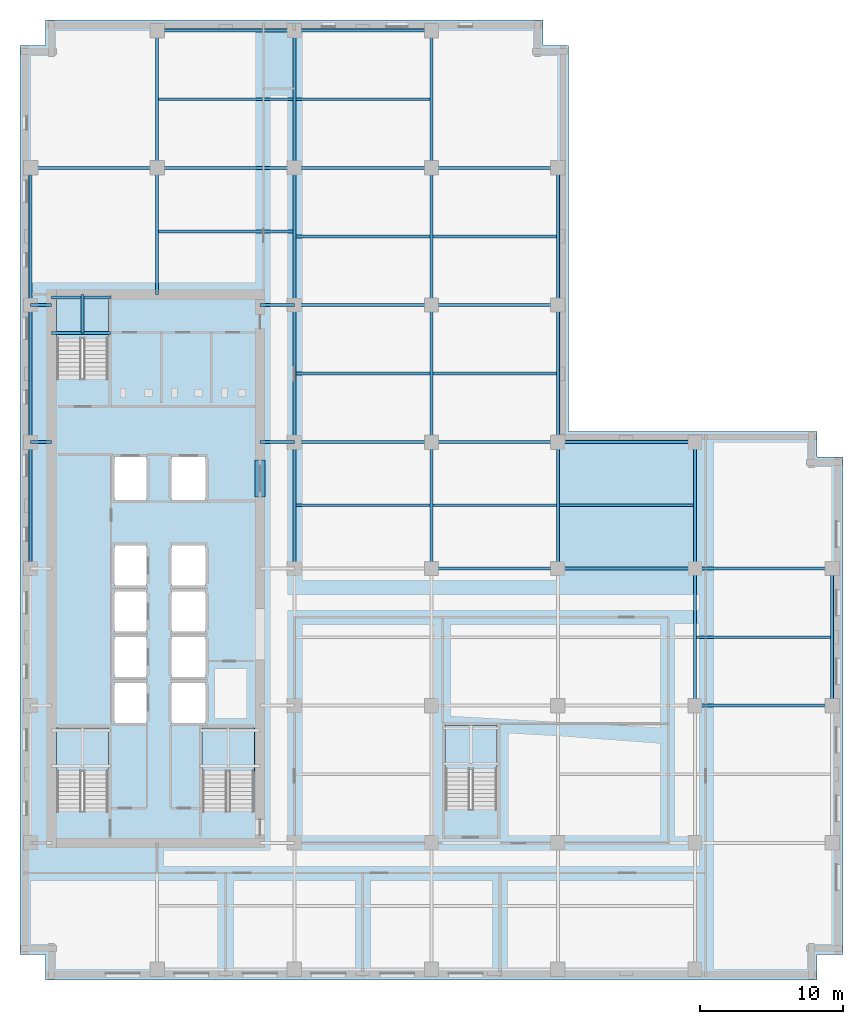
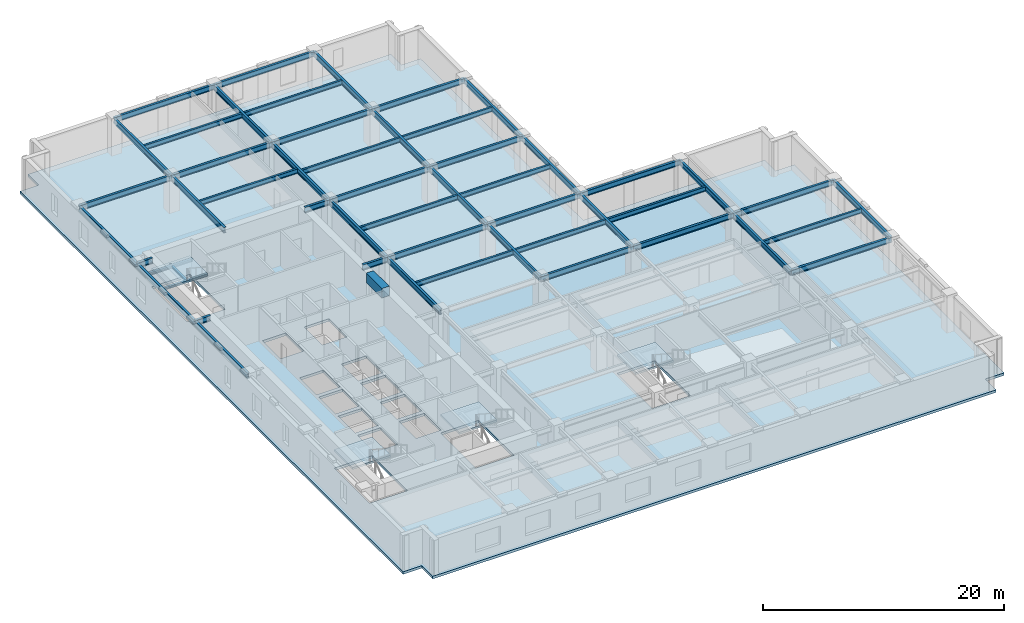
# One storey, part 2 of 11: 53 beams, 5 slabs, 4 elements without a shape of their own.
"""IFC4 building model written with IfcOpenShell, lengths in metres."""

from ifc_helpers import new_model, si_unit, direction, frame, origin, origin_2d, place, context, subcontext, project, spatial, polyline, rectangle, i_section, outline, extrude, material, layer, layer_set, material_profile, profile_set, type_object, element, aggregate, save


model = new_model("IFC4")

# Units and contexts
model_context = context("Model", 3, precision=1e-05, world=origin(), true_north=direction((0.0, 1.0)))
body_context = subcontext(model_context, "Body", "Model", "MODEL_VIEW")
ifc_project = project(units=[si_unit("LENGTHUNIT", "METRE"), si_unit("AREAUNIT", "SQUARE_METRE"), si_unit("VOLUMEUNIT", "CUBIC_METRE"), si_unit("PLANEANGLEUNIT", "RADIAN"), si_unit("MASSUNIT", "GRAM", prefix="KILO")], contexts=[model_context])

# Site, building, storey
site_placement = place(None, origin())
site = spatial("IfcSite", under=ifc_project, at=site_placement, CompositionType="ELEMENT")
building_placement = place(site_placement, origin())
building = spatial("IfcBuilding", under=site, at=building_placement, Name="Norrvale University Quadrangle", CompositionType="ELEMENT")
storey_placement = place(building_placement, frame((0.0, 0.0, 124.199951171875)))
storey = spatial("IfcBuildingStorey", under=building, at=storey_placement, Name="L31", CompositionType="ELEMENT", Elevation=124.199951171875)

# Beams
ifc_material_1 = material(Name="Concrete C80/95", Category="concrete")
ifc_material_profile_1 = material_profile(ifc_material_1, rectangle(XDim=0.699951171875, YDim=0.949951171875, at=origin_2d()), Name="Concrete C80/95")
ifc_profile_set_1 = profile_set([ifc_material_profile_1], Name="Concrete C80/95")
beam_type_1 = type_object("IfcBeamType", Name="Beam Core Link 700x950", PredefinedType="LINTEL", material=ifc_profile_set_1)
beam_1_placement = place(storey_placement, frame((16.800048828125, 33.800048828125, 3.06494140625), z_axis=(0.0, 1.0, 0.0), x_axis=(-1.0, 0.0, 0.0)))
element("IfcBeam", 1, at=beam_1_placement, inside=storey, type_object=beam_type_1, Name="Core Coupling Lintel Beam L31-2", PredefinedType="LINTEL", context=body_context, shape_type="SweptSolid", body=[
    extrude(rectangle(XDim=0.699951171875, YDim=0.949951171875, at=origin_2d()), origin(), (0.0, 0.0, 1.0), 2.599853515625),
])
ifc_material_2 = material(Name="Steel 350W", Category="steel")
ifc_material_profile_2 = material_profile(ifc_material_2, i_section(OverallWidth=0.18994140625, OverallDepth=0.45703125, WebThickness=0.009033203125, FlangeThickness=0.014404296875, FilletRadius=0.012939453125, at=origin_2d()), Name="Steel 350W")
ifc_profile_set_2 = profile_set([ifc_material_profile_2], Name="Steel 350W")
beam_type_2 = type_object("IfcBeamType", Name="Beam Floor W460x74", PredefinedType="JOIST", material=ifc_profile_set_2)
beam_2_placement = place(storey_placement, frame((9.7060546875, 61.64990234375, 3.3115234375), z_axis=(1.0, 0.0, 0.0), x_axis=(0.0, 1.0, 0.0)))
element("IfcBeam", 2, at=beam_2_placement, inside=storey, type_object=beam_type_2, Name="Beam Floor W460x74 BM-L31-J070", PredefinedType="JOIST", context=body_context, shape_type="SweptSolid", body=[
    extrude(i_section(OverallWidth=0.18994140625, OverallDepth=0.45703125, WebThickness=0.009033203125, FlangeThickness=0.014404296875, FilletRadius=0.012939453125, at=origin_2d()), origin(), (0.0, 0.0, 1.0), 9.387939453125),
])
for number, where, z_axis, x_axis, name in (
    (3, (19.305908203125, 33.22509765625, 3.3115234375), (1.0, 0.0, 0.0), (0.0, 1.0, 0.0), "Beam Floor W460x74 BM-L31-J074"),
    (4, (19.305908203125, 42.449951171875, 3.3115234375), (1.0, 0.0, 0.0), (0.0, 1.0, 0.0), "Beam Floor W460x74 BM-L31-J075"),
    (5, (19.305908203125, 52.050048828125, 3.3115234375), (1.0, 0.0, 0.0), (0.0, 1.0, 0.0), "Beam Floor W460x74 BM-L31-J076"),
    (6, (19.305908203125, 61.64990234375, 3.3115234375), (1.0, 0.0, 0.0), (0.0, 1.0, 0.0), "Beam Floor W460x74 BM-L31-J077"),
):
    element("IfcBeam", number, at=place(storey_placement, frame(where, z_axis=z_axis, x_axis=x_axis)), inside=storey, type_object=beam_type_2, Name=name, PredefinedType="JOIST", context=body_context, shape_type="SweptSolid", body=[
        extrude(i_section(OverallWidth=0.18994140625, OverallDepth=0.45703125, WebThickness=0.009033203125, FlangeThickness=0.014404296875, FilletRadius=0.012939453125, at=origin_2d()), origin(), (0.0, 0.0, 1.0), 9.38818359375),
    ])
for number, where, z_axis, x_axis, name in (
    (7, (28.906005859375, 33.22509765625, 3.3115234375), (1.0, 0.0, 0.0), (0.0, 1.0, 0.0), "Beam Floor W460x74 BM-L31-J080"),
    (8, (28.906005859375, 42.449951171875, 3.3115234375), (1.0, 0.0, 0.0), (0.0, 1.0, 0.0), "Beam Floor W460x74 BM-L31-J081"),
    (9, (28.906005859375, 52.050048828125, 3.3115234375), (1.0, 0.0, 0.0), (0.0, 1.0, 0.0), "Beam Floor W460x74 BM-L31-J082"),
):
    element("IfcBeam", number, at=place(storey_placement, frame(where, z_axis=z_axis, x_axis=x_axis)), inside=storey, type_object=beam_type_2, Name=name, PredefinedType="JOIST", context=body_context, shape_type="SweptSolid", body=[
        extrude(i_section(OverallWidth=0.18994140625, OverallDepth=0.45703125, WebThickness=0.009033203125, FlangeThickness=0.014404296875, FilletRadius=0.012939453125, at=origin_2d()), origin(), (0.0, 0.0, 1.0), 8.637939453125),
    ])
for number, where, z_axis, x_axis, name in (
    (10, (37.756103515625, 33.22509765625, 3.3115234375), (1.0, 0.0, 0.0), (0.0, 1.0, 0.0), "Beam Floor W460x74 BM-L31-J086"),
    (11, (47.35595703125, 24.0, 3.3115234375), (1.0, 0.0, 0.0), (0.0, 1.0, 0.0), "Beam Floor W460x74 BM-L31-J088"),
    (12, (9.7060546875, 52.39990234375, 3.3115234375), (1.0, 0.0, 0.0), (0.0, 1.0, 0.0), "Beam Floor W460x74 BM-L31-JCN092"),
):
    element("IfcBeam", number, at=place(storey_placement, frame(where, z_axis=z_axis, x_axis=x_axis)), inside=storey, type_object=beam_type_2, Name=name, PredefinedType="JOIST", context=body_context, shape_type="SweptSolid", body=[
        extrude(i_section(OverallWidth=0.18994140625, OverallDepth=0.45703125, WebThickness=0.009033203125, FlangeThickness=0.014404296875, FilletRadius=0.012939453125, at=origin_2d()), origin(), (0.0, 0.0, 1.0), 9.387939453125),
    ])
ifc_material_profile_3 = material_profile(ifc_material_2, i_section(OverallWidth=0.2119140625, OverallDepth=0.5439453125, WebThickness=0.01318359375, FlangeThickness=0.021240234375, FilletRadius=0.013916015625, at=origin_2d()), Name="Steel 350W")
ifc_profile_set_3 = profile_set([ifc_material_profile_3], Name="Steel 350W")
beam_type_3 = type_object("IfcBeamType", Name="Beam Floor W530x123", PredefinedType="BEAM", material=ifc_profile_set_3)
beam_3_placement = place(storey_placement, frame((47.25, 19.199951171875, 3.26806640625), z_axis=(1.0, 0.0, 0.0), x_axis=(0.0, 1.0, 0.0)))
element("IfcBeam", 13, at=beam_3_placement, inside=storey, type_object=beam_type_3, Name="Beam Floor W530x123 BM-L31-GX012", PredefinedType="BEAM", context=body_context, shape_type="SweptSolid", body=[
    extrude(i_section(OverallWidth=0.2119140625, OverallDepth=0.5439453125, WebThickness=0.01318359375, FlangeThickness=0.021240234375, FilletRadius=0.013916015625, at=origin_2d()), origin(), (0.0, 0.0, 1.0), 9.60009765625),
])
beam_4_placement = place(storey_placement, frame((28.800048828125, 28.800048828125, 3.26806640625), z_axis=(1.0, 0.0, 0.0), x_axis=(0.0, 1.0, 0.0)))
element("IfcBeam", 14, at=beam_4_placement, inside=storey, type_object=beam_type_3, Name="Beam Floor W530x123 BM-L31-GX014", PredefinedType="BEAM", context=body_context, shape_type="SweptSolid", body=[
    extrude(i_section(OverallWidth=0.2119140625, OverallDepth=0.5439453125, WebThickness=0.01318359375, FlangeThickness=0.021240234375, FilletRadius=0.013916015625, at=origin_2d()), origin(), (0.0, 0.0, 1.0), 8.849853515625),
])
for number, where, z_axis, x_axis, name in (
    (15, (37.64990234375, 28.800048828125, 3.26806640625), (1.0, 0.0, 0.0), (0.0, 1.0, 0.0), "Beam Floor W530x123 BM-L31-GX015"),
    (16, (47.25, 28.800048828125, 3.26806640625), (1.0, 0.0, 0.0), (0.0, 1.0, 0.0), "Beam Floor W530x123 BM-L31-GX016"),
    (17, (19.199951171875, 37.64990234375, 3.26806640625), (1.0, 0.0, 0.0), (0.0, 1.0, 0.0), "Beam Floor W530x123 BM-L31-GX017"),
):
    element("IfcBeam", number, at=place(storey_placement, frame(where, z_axis=z_axis, x_axis=x_axis)), inside=storey, type_object=beam_type_3, Name=name, PredefinedType="BEAM", context=body_context, shape_type="SweptSolid", body=[
        extrude(i_section(OverallWidth=0.2119140625, OverallDepth=0.5439453125, WebThickness=0.01318359375, FlangeThickness=0.021240234375, FilletRadius=0.013916015625, at=origin_2d()), origin(), (0.0, 0.0, 1.0), 9.60009765625),
    ])
beam_5_placement = place(storey_placement, frame((28.800048828125, 37.64990234375, 3.26806640625), z_axis=(1.0, 0.0, 0.0), x_axis=(0.0, 1.0, 0.0)))
element("IfcBeam", 18, at=beam_5_placement, inside=storey, type_object=beam_type_3, Name="Beam Floor W530x123 BM-L31-GX018", PredefinedType="BEAM", context=body_context, shape_type="SweptSolid", body=[
    extrude(i_section(OverallWidth=0.2119140625, OverallDepth=0.5439453125, WebThickness=0.01318359375, FlangeThickness=0.021240234375, FilletRadius=0.013916015625, at=origin_2d()), origin(), (0.0, 0.0, 1.0), 8.849853515625),
])
for number, where, z_axis, x_axis, name in (
    (19, (37.64990234375, 37.64990234375, 3.26806640625), (1.0, 0.0, 0.0), (0.0, 1.0, 0.0), "Beam Floor W530x123 BM-L31-GX019"),
    (20, (19.199951171875, 47.25, 3.26806640625), (1.0, 0.0, 0.0), (0.0, 1.0, 0.0), "Beam Floor W530x123 BM-L31-GX020"),
):
    element("IfcBeam", number, at=place(storey_placement, frame(where, z_axis=z_axis, x_axis=x_axis)), inside=storey, type_object=beam_type_3, Name=name, PredefinedType="BEAM", context=body_context, shape_type="SweptSolid", body=[
        extrude(i_section(OverallWidth=0.2119140625, OverallDepth=0.5439453125, WebThickness=0.01318359375, FlangeThickness=0.021240234375, FilletRadius=0.013916015625, at=origin_2d()), origin(), (0.0, 0.0, 1.0), 9.60009765625),
    ])
beam_6_placement = place(storey_placement, frame((28.800048828125, 47.25, 3.26806640625), z_axis=(1.0, 0.0, 0.0), x_axis=(0.0, 1.0, 0.0)))
element("IfcBeam", 21, at=beam_6_placement, inside=storey, type_object=beam_type_3, Name="Beam Floor W530x123 BM-L31-GX021", PredefinedType="BEAM", context=body_context, shape_type="SweptSolid", body=[
    extrude(i_section(OverallWidth=0.2119140625, OverallDepth=0.5439453125, WebThickness=0.01318359375, FlangeThickness=0.021240234375, FilletRadius=0.013916015625, at=origin_2d()), origin(), (0.0, 0.0, 1.0), 8.849853515625),
])
beam_7_placement = place(storey_placement, frame((0.75, 56.85009765625, 3.26806640625), z_axis=(1.0, 0.0, 0.0), x_axis=(0.0, 1.0, 0.0)))
element("IfcBeam", 22, at=beam_7_placement, inside=storey, type_object=beam_type_3, Name="Beam Floor W530x123 BM-L31-GX022", PredefinedType="BEAM", context=body_context, shape_type="SweptSolid", body=[
    extrude(i_section(OverallWidth=0.2119140625, OverallDepth=0.5439453125, WebThickness=0.01318359375, FlangeThickness=0.021240234375, FilletRadius=0.013916015625, at=origin_2d()), origin(), (0.0, 0.0, 1.0), 8.85009765625),
])
beam_8_placement = place(storey_placement, frame((9.60009765625, 56.85009765625, 3.26806640625), z_axis=(1.0, 0.0, 0.0), x_axis=(0.0, 1.0, 0.0)))
element("IfcBeam", 23, at=beam_8_placement, inside=storey, type_object=beam_type_3, Name="Beam Floor W530x123 BM-L31-GX023", PredefinedType="BEAM", context=body_context, shape_type="SweptSolid", body=[
    extrude(i_section(OverallWidth=0.2119140625, OverallDepth=0.5439453125, WebThickness=0.01318359375, FlangeThickness=0.021240234375, FilletRadius=0.013916015625, at=origin_2d()), origin(), (0.0, 0.0, 1.0), 9.599853515625),
])
beam_9_placement = place(storey_placement, frame((19.199951171875, 56.85009765625, 3.26806640625), z_axis=(1.0, 0.0, 0.0), x_axis=(0.0, 1.0, 0.0)))
element("IfcBeam", 24, at=beam_9_placement, inside=storey, type_object=beam_type_3, Name="Beam Floor W530x123 BM-L31-GX024", PredefinedType="BEAM", context=body_context, shape_type="SweptSolid", body=[
    extrude(i_section(OverallWidth=0.2119140625, OverallDepth=0.5439453125, WebThickness=0.01318359375, FlangeThickness=0.021240234375, FilletRadius=0.013916015625, at=origin_2d()), origin(), (0.0, 0.0, 1.0), 9.60009765625),
])
beam_10_placement = place(storey_placement, frame((28.800048828125, 56.85009765625, 3.26806640625), z_axis=(1.0, 0.0, 0.0), x_axis=(0.0, 1.0, 0.0)))
element("IfcBeam", 25, at=beam_10_placement, inside=storey, type_object=beam_type_3, Name="Beam Floor W530x123 BM-L31-GX025", PredefinedType="BEAM", context=body_context, shape_type="SweptSolid", body=[
    extrude(i_section(OverallWidth=0.2119140625, OverallDepth=0.5439453125, WebThickness=0.01318359375, FlangeThickness=0.021240234375, FilletRadius=0.013916015625, at=origin_2d()), origin(), (0.0, 0.0, 1.0), 8.849853515625),
])
beam_11_placement = place(storey_placement, frame((9.60009765625, 66.449951171875, 3.26806640625), z_axis=(1.0, 0.0, 0.0), x_axis=(0.0, 1.0, 0.0)))
element("IfcBeam", 26, at=beam_11_placement, inside=storey, type_object=beam_type_3, Name="Beam Floor W530x123 BM-L31-GX026", PredefinedType="BEAM", context=body_context, shape_type="SweptSolid", body=[
    extrude(i_section(OverallWidth=0.2119140625, OverallDepth=0.5439453125, WebThickness=0.01318359375, FlangeThickness=0.021240234375, FilletRadius=0.013916015625, at=origin_2d()), origin(), (0.0, 0.0, 1.0), 9.599853515625),
])
beam_12_placement = place(storey_placement, frame((19.199951171875, 66.449951171875, 3.26806640625), z_axis=(1.0, 0.0, 0.0), x_axis=(0.0, 1.0, 0.0)))
element("IfcBeam", 27, at=beam_12_placement, inside=storey, type_object=beam_type_3, Name="Beam Floor W530x123 BM-L31-GX027", PredefinedType="BEAM", context=body_context, shape_type="SweptSolid", body=[
    extrude(i_section(OverallWidth=0.2119140625, OverallDepth=0.5439453125, WebThickness=0.01318359375, FlangeThickness=0.021240234375, FilletRadius=0.013916015625, at=origin_2d()), origin(), (0.0, 0.0, 1.0), 9.60009765625),
])
beam_13_placement = place(storey_placement, frame((0.75, 28.800048828125, 3.26806640625), z_axis=(0.0, 1.0, 0.0), x_axis=(-1.0, 0.0, 0.0)))
element("IfcBeam", 28, at=beam_13_placement, inside=storey, type_object=beam_type_3, Name="Beam Floor W530x123 BM-L31-GY030", PredefinedType="BEAM", context=body_context, shape_type="SweptSolid", body=[
    extrude(i_section(OverallWidth=0.2119140625, OverallDepth=0.5439453125, WebThickness=0.01318359375, FlangeThickness=0.021240234375, FilletRadius=0.013916015625, at=origin_2d()), origin(), (0.0, 0.0, 1.0), 8.849853515625),
])
for number, where, z_axis, x_axis, name in (
    (29, (0.75, 37.64990234375, 3.26806640625), (0.0, 1.0, 0.0), (-1.0, 0.0, 0.0), "Beam Floor W530x123 BM-L31-GY031"),
    (30, (0.75, 47.25, 3.26806640625), (0.0, 1.0, 0.0), (-1.0, 0.0, 0.0), "Beam Floor W530x123 BM-L31-GY032"),
):
    element("IfcBeam", number, at=place(storey_placement, frame(where, z_axis=z_axis, x_axis=x_axis)), inside=storey, type_object=beam_type_3, Name=name, PredefinedType="BEAM", context=body_context, shape_type="SweptSolid", body=[
        extrude(i_section(OverallWidth=0.2119140625, OverallDepth=0.5439453125, WebThickness=0.01318359375, FlangeThickness=0.021240234375, FilletRadius=0.013916015625, at=origin_2d()), origin(), (0.0, 0.0, 1.0), 9.60009765625),
    ])
beam_14_placement = place(storey_placement, frame((9.60009765625, 56.85009765625, 3.26806640625), z_axis=(0.0, 1.0, 0.0), x_axis=(-1.0, 0.0, 0.0)))
element("IfcBeam", 31, at=beam_14_placement, inside=storey, type_object=beam_type_3, Name="Beam Floor W530x123 BM-L31-GY033", PredefinedType="BEAM", context=body_context, shape_type="SweptSolid", body=[
    extrude(i_section(OverallWidth=0.2119140625, OverallDepth=0.5439453125, WebThickness=0.01318359375, FlangeThickness=0.021240234375, FilletRadius=0.013916015625, at=origin_2d()), origin(), (0.0, 0.0, 1.0), 9.599853515625),
])
beam_15_placement = place(storey_placement, frame((19.199951171875, 28.800048828125, 3.26806640625), z_axis=(0.0, 1.0, 0.0), x_axis=(-1.0, 0.0, 0.0)))
element("IfcBeam", 32, at=beam_15_placement, inside=storey, type_object=beam_type_3, Name="Beam Floor W530x123 BM-L31-GY037", PredefinedType="BEAM", context=body_context, shape_type="SweptSolid", body=[
    extrude(i_section(OverallWidth=0.2119140625, OverallDepth=0.5439453125, WebThickness=0.01318359375, FlangeThickness=0.021240234375, FilletRadius=0.013916015625, at=origin_2d()), origin(), (0.0, 0.0, 1.0), 8.849853515625),
])
for number, where, z_axis, x_axis, name in (
    (33, (19.199951171875, 37.64990234375, 3.26806640625), (0.0, 1.0, 0.0), (-1.0, 0.0, 0.0), "Beam Floor W530x123 BM-L31-GY038"),
    (34, (19.199951171875, 47.25, 3.26806640625), (0.0, 1.0, 0.0), (-1.0, 0.0, 0.0), "Beam Floor W530x123 BM-L31-GY039"),
):
    element("IfcBeam", number, at=place(storey_placement, frame(where, z_axis=z_axis, x_axis=x_axis)), inside=storey, type_object=beam_type_3, Name=name, PredefinedType="BEAM", context=body_context, shape_type="SweptSolid", body=[
        extrude(i_section(OverallWidth=0.2119140625, OverallDepth=0.5439453125, WebThickness=0.01318359375, FlangeThickness=0.021240234375, FilletRadius=0.013916015625, at=origin_2d()), origin(), (0.0, 0.0, 1.0), 9.60009765625),
    ])
beam_16_placement = place(storey_placement, frame((19.199951171875, 56.85009765625, 3.26806640625), z_axis=(0.0, 1.0, 0.0), x_axis=(-1.0, 0.0, 0.0)))
element("IfcBeam", 35, at=beam_16_placement, inside=storey, type_object=beam_type_3, Name="Beam Floor W530x123 BM-L31-GY040", PredefinedType="BEAM", context=body_context, shape_type="SweptSolid", body=[
    extrude(i_section(OverallWidth=0.2119140625, OverallDepth=0.5439453125, WebThickness=0.01318359375, FlangeThickness=0.021240234375, FilletRadius=0.013916015625, at=origin_2d()), origin(), (0.0, 0.0, 1.0), 9.599853515625),
])
beam_17_placement = place(storey_placement, frame((28.800048828125, 28.800048828125, 3.26806640625), z_axis=(0.0, 1.0, 0.0), x_axis=(-1.0, 0.0, 0.0)))
element("IfcBeam", 36, at=beam_17_placement, inside=storey, type_object=beam_type_3, Name="Beam Floor W530x123 BM-L31-GY044", PredefinedType="BEAM", context=body_context, shape_type="SweptSolid", body=[
    extrude(i_section(OverallWidth=0.2119140625, OverallDepth=0.5439453125, WebThickness=0.01318359375, FlangeThickness=0.021240234375, FilletRadius=0.013916015625, at=origin_2d()), origin(), (0.0, 0.0, 1.0), 8.849853515625),
])
for number, where, z_axis, x_axis, name in (
    (37, (28.800048828125, 37.64990234375, 3.26806640625), (0.0, 1.0, 0.0), (-1.0, 0.0, 0.0), "Beam Floor W530x123 BM-L31-GY045"),
    (38, (28.800048828125, 47.25, 3.26806640625), (0.0, 1.0, 0.0), (-1.0, 0.0, 0.0), "Beam Floor W530x123 BM-L31-GY046"),
):
    element("IfcBeam", number, at=place(storey_placement, frame(where, z_axis=z_axis, x_axis=x_axis)), inside=storey, type_object=beam_type_3, Name=name, PredefinedType="BEAM", context=body_context, shape_type="SweptSolid", body=[
        extrude(i_section(OverallWidth=0.2119140625, OverallDepth=0.5439453125, WebThickness=0.01318359375, FlangeThickness=0.021240234375, FilletRadius=0.013916015625, at=origin_2d()), origin(), (0.0, 0.0, 1.0), 9.60009765625),
    ])
beam_18_placement = place(storey_placement, frame((28.800048828125, 56.85009765625, 3.26806640625), z_axis=(0.0, 1.0, 0.0), x_axis=(-1.0, 0.0, 0.0)))
element("IfcBeam", 39, at=beam_18_placement, inside=storey, type_object=beam_type_3, Name="Beam Floor W530x123 BM-L31-GY047", PredefinedType="BEAM", context=body_context, shape_type="SweptSolid", body=[
    extrude(i_section(OverallWidth=0.2119140625, OverallDepth=0.5439453125, WebThickness=0.01318359375, FlangeThickness=0.021240234375, FilletRadius=0.013916015625, at=origin_2d()), origin(), (0.0, 0.0, 1.0), 9.599853515625),
])
beam_19_placement = place(storey_placement, frame((37.64990234375, 28.800048828125, 3.26806640625), z_axis=(0.0, 1.0, 0.0), x_axis=(-1.0, 0.0, 0.0)))
element("IfcBeam", 40, at=beam_19_placement, inside=storey, type_object=beam_type_3, Name="Beam Floor W530x123 BM-L31-GY051", PredefinedType="BEAM", context=body_context, shape_type="SweptSolid", body=[
    extrude(i_section(OverallWidth=0.2119140625, OverallDepth=0.5439453125, WebThickness=0.01318359375, FlangeThickness=0.021240234375, FilletRadius=0.013916015625, at=origin_2d()), origin(), (0.0, 0.0, 1.0), 8.849853515625),
])
for number, where, z_axis, x_axis, name in (
    (41, (37.64990234375, 37.64990234375, 3.26806640625), (0.0, 1.0, 0.0), (-1.0, 0.0, 0.0), "Beam Floor W530x123 BM-L31-GY052"),
    (42, (37.64990234375, 47.25, 3.26806640625), (0.0, 1.0, 0.0), (-1.0, 0.0, 0.0), "Beam Floor W530x123 BM-L31-GY053"),
    (43, (47.25, 19.199951171875, 3.26806640625), (0.0, 1.0, 0.0), (-1.0, 0.0, 0.0), "Beam Floor W530x123 BM-L31-GY056"),
):
    element("IfcBeam", number, at=place(storey_placement, frame(where, z_axis=z_axis, x_axis=x_axis)), inside=storey, type_object=beam_type_3, Name=name, PredefinedType="BEAM", context=body_context, shape_type="SweptSolid", body=[
        extrude(i_section(OverallWidth=0.2119140625, OverallDepth=0.5439453125, WebThickness=0.01318359375, FlangeThickness=0.021240234375, FilletRadius=0.013916015625, at=origin_2d()), origin(), (0.0, 0.0, 1.0), 9.60009765625),
    ])
beam_20_placement = place(storey_placement, frame((47.25, 28.800048828125, 3.26806640625), z_axis=(0.0, 1.0, 0.0), x_axis=(-1.0, 0.0, 0.0)))
element("IfcBeam", 44, at=beam_20_placement, inside=storey, type_object=beam_type_3, Name="Beam Floor W530x123 BM-L31-GY057", PredefinedType="BEAM", context=body_context, shape_type="SweptSolid", body=[
    extrude(i_section(OverallWidth=0.2119140625, OverallDepth=0.5439453125, WebThickness=0.01318359375, FlangeThickness=0.021240234375, FilletRadius=0.013916015625, at=origin_2d()), origin(), (0.0, 0.0, 1.0), 8.849853515625),
])
beam_21_placement = place(storey_placement, frame((56.85009765625, 19.199951171875, 3.26806640625), z_axis=(0.0, 1.0, 0.0), x_axis=(-1.0, 0.0, 0.0)))
element("IfcBeam", 45, at=beam_21_placement, inside=storey, type_object=beam_type_3, Name="Beam Floor W530x123 BM-L31-GY059", PredefinedType="BEAM", context=body_context, shape_type="SweptSolid", body=[
    extrude(i_section(OverallWidth=0.2119140625, OverallDepth=0.5439453125, WebThickness=0.01318359375, FlangeThickness=0.021240234375, FilletRadius=0.013916015625, at=origin_2d()), origin(), (0.0, 0.0, 1.0), 9.60009765625),
])
beam_22_placement = place(storey_placement, frame((0.75, 37.64990234375, 3.26806640625), z_axis=(1.0, 0.0, 0.0), x_axis=(0.0, 1.0, 0.0)))
element("IfcBeam", 46, at=beam_22_placement, inside=storey, type_object=beam_type_3, Name="Beam Floor W530x123 BM-L31-GCW066", PredefinedType="BEAM", context=body_context, shape_type="SweptSolid", body=[
    extrude(i_section(OverallWidth=0.2119140625, OverallDepth=0.5439453125, WebThickness=0.01318359375, FlangeThickness=0.021240234375, FilletRadius=0.013916015625, at=origin_2d()), origin(), (0.0, 0.0, 1.0), 1.449951171875),
])
beam_23_placement = place(storey_placement, frame((16.800048828125, 37.64990234375, 3.26806640625), z_axis=(1.0, 0.0, 0.0), x_axis=(0.0, 1.0, 0.0)))
element("IfcBeam", 47, at=beam_23_placement, inside=storey, type_object=beam_type_3, Name="Beam Floor W530x123 BM-L31-GCE067", PredefinedType="BEAM", context=body_context, shape_type="SweptSolid", body=[
    extrude(i_section(OverallWidth=0.2119140625, OverallDepth=0.5439453125, WebThickness=0.01318359375, FlangeThickness=0.021240234375, FilletRadius=0.013916015625, at=origin_2d()), origin(), (0.0, 0.0, 1.0), 2.39990234375),
])
beam_24_placement = place(storey_placement, frame((0.75, 47.25, 3.26806640625), z_axis=(1.0, 0.0, 0.0), x_axis=(0.0, 1.0, 0.0)))
element("IfcBeam", 48, at=beam_24_placement, inside=storey, type_object=beam_type_3, Name="Beam Floor W530x123 BM-L31-GCW068", PredefinedType="BEAM", context=body_context, shape_type="SweptSolid", body=[
    extrude(i_section(OverallWidth=0.2119140625, OverallDepth=0.5439453125, WebThickness=0.01318359375, FlangeThickness=0.021240234375, FilletRadius=0.013916015625, at=origin_2d()), origin(), (0.0, 0.0, 1.0), 1.449951171875),
])
beam_25_placement = place(storey_placement, frame((16.800048828125, 47.25, 3.26806640625), z_axis=(1.0, 0.0, 0.0), x_axis=(0.0, 1.0, 0.0)))
element("IfcBeam", 49, at=beam_25_placement, inside=storey, type_object=beam_type_3, Name="Beam Floor W530x123 BM-L31-GCE069", PredefinedType="BEAM", context=body_context, shape_type="SweptSolid", body=[
    extrude(i_section(OverallWidth=0.2119140625, OverallDepth=0.5439453125, WebThickness=0.01318359375, FlangeThickness=0.021240234375, FilletRadius=0.013916015625, at=origin_2d()), origin(), (0.0, 0.0, 1.0), 2.39990234375),
])
beam_26_placement = place(storey_placement, frame((9.60009765625, 48.0, 3.26806640625), z_axis=(0.0, 1.0, 0.0), x_axis=(-1.0, 0.0, 0.0)))
element("IfcBeam", 50, at=beam_26_placement, inside=storey, type_object=beam_type_3, Name="Beam Floor W530x123 BM-L31-GCN091", PredefinedType="BEAM", context=body_context, shape_type="SweptSolid", body=[
    extrude(i_section(OverallWidth=0.2119140625, OverallDepth=0.5439453125, WebThickness=0.01318359375, FlangeThickness=0.021240234375, FilletRadius=0.013916015625, at=origin_2d()), origin(), (0.0, 0.0, 1.0), 8.85009765625),
])
ifc_material_profile_4 = material_profile(ifc_material_2, i_section(OverallWidth=0.201904296875, OverallDepth=0.2470703125, WebThickness=0.00732421875, FlangeThickness=0.010986328125, FilletRadius=0.011962890625, at=origin_2d()), Name="Steel 350W")
ifc_profile_set_4 = profile_set([ifc_material_profile_4], Name="Steel 350W")
beam_type_4 = type_object("IfcBeamType", Name="Beam Stair W250x49", PredefinedType="BEAM", material=ifc_profile_set_4)
for number, where, z_axis, x_axis, name in (
    (51, (2.199951171875, 45.2900390625, 1.57666015625), (1.0, 0.0, 0.0), (0.0, 1.0, 0.0), "Stair Mid-Landing Front Beam ST-02 L31"),
    (52, (2.199951171875, 47.77001953125, 1.57666015625), (1.0, 0.0, 0.0), (0.0, 1.0, 0.0), "Stair Mid-Landing Rear Beam ST-02 L31"),
):
    element("IfcBeam", number, at=place(storey_placement, frame(where, z_axis=z_axis, x_axis=x_axis)), inside=storey, type_object=beam_type_4, Name=name, PredefinedType="BEAM", context=body_context, shape_type="SweptSolid", body=[
        extrude(i_section(OverallWidth=0.201904296875, OverallDepth=0.2470703125, WebThickness=0.00732421875, FlangeThickness=0.010986328125, FilletRadius=0.011962890625, at=origin_2d()), origin(), (0.0, 0.0, 1.0), 4.14013671875),
    ])
ifc_material_profile_5 = material_profile(ifc_material_2, i_section(OverallWidth=0.202880859375, OverallDepth=0.202880859375, WebThickness=0.007080078125, FlangeThickness=0.010986328125, FilletRadius=0.010009765625, at=origin_2d()), Name="Steel 350W")
ifc_profile_set_5 = profile_set([ifc_material_profile_5], Name="Steel 350W")
beam_type_5 = type_object("IfcBeamType", Name="Beam Trim W200x46", PredefinedType="BEAM", material=ifc_profile_set_5)
beam_27_placement = place(storey_placement, frame((4.375, 45.2900390625, 1.5986328125), z_axis=(0.0, 1.0, 0.0), x_axis=(-1.0, 0.0, 0.0)))
element("IfcBeam", 53, at=beam_27_placement, inside=storey, type_object=beam_type_5, Name="Stair Mid-Landing Cross Beam ST-02 L31", PredefinedType="BEAM", context=body_context, shape_type="SweptSolid", body=[
    extrude(i_section(OverallWidth=0.202880859375, OverallDepth=0.202880859375, WebThickness=0.007080078125, FlangeThickness=0.010986328125, FilletRadius=0.010009765625, at=origin_2d()), origin(), (0.0, 0.0, 1.0), 2.7099609375),
])

# Stair, slab
ifc_material_3 = material(Name="Concrete C40/50", Category="concrete")
stair_type = type_object("IfcStairType", Name="Stair Tower Typ 3800", PredefinedType="TWO_STRAIGHT_RUN_STAIR", material=ifc_material_3)
stair_1_placement = place(storey_placement, origin())
stair_1 = element("IfcStair", 54, at=stair_1_placement, inside=storey, type_object=stair_type, Name="Exit Stair ST-01 L31", PredefinedType="TWO_STRAIGHT_RUN_STAIR")
ifc_layer_1 = layer(ifc_material_3, 0.199951171875, Name="Concrete C40/50")
ifc_layer_set_1 = layer_set([ifc_layer_1], Name="Concrete C40/50")
slab_type_1 = type_object("IfcSlabType", Name="Slab Landing 200", PredefinedType="LANDING", material=ifc_layer_set_1)
slab_1_placement = place(storey_placement, frame((0.0, 0.0, 1.699951171875)))
slab_1 = element("IfcSlab", 55, at=slab_1_placement, type_object=slab_type_1, Name="Exit Stair ST-01 L31 Mid Landing", PredefinedType="LANDING", context=body_context, shape_type="SweptSolid", body=[
    extrude(outline(polyline([(2.550048828125, 14.590087890625), (6.199951171875, 14.590087890625), (6.199951171875, 17.64990234375), (2.550048828125, 17.64990234375), (2.550048828125, 14.590087890625)])), origin(), (0.0, 0.0, 1.0), 0.2001953125),
])
aggregate(stair_1, [slab_1])

stair_2_placement = place(storey_placement, origin())
stair_2 = element("IfcStair", 56, at=stair_2_placement, inside=storey, type_object=stair_type, Name="Exit Stair ST-02 L31", PredefinedType="TWO_STRAIGHT_RUN_STAIR")
slab_2_placement = place(storey_placement, frame((0.0, 0.0, 1.699951171875)))
slab_2 = element("IfcSlab", 57, at=slab_2_placement, type_object=slab_type_1, Name="Exit Stair ST-02 L31 Mid Landing", PredefinedType="LANDING", context=body_context, shape_type="SweptSolid", body=[
    extrude(outline(polyline([(2.550048828125, 44.889892578125), (6.199951171875, 44.889892578125), (6.199951171875, 47.949951171875), (2.550048828125, 47.949951171875), (2.550048828125, 44.889892578125)])), origin(), (0.0, 0.0, 1.0), 0.2001953125),
])
aggregate(stair_2, [slab_2])

stair_3_placement = place(storey_placement, origin())
stair_3 = element("IfcStair", 58, at=stair_3_placement, inside=storey, type_object=stair_type, Name="Exit Stair ST-03 L31", PredefinedType="TWO_STRAIGHT_RUN_STAIR")
slab_3_placement = place(storey_placement, frame((0.0, 0.0, 1.699951171875)))
slab_3 = element("IfcSlab", 59, at=slab_3_placement, type_object=slab_type_1, Name="Exit Stair ST-03 L31 Mid Landing", PredefinedType="LANDING", context=body_context, shape_type="SweptSolid", body=[
    extrude(outline(polyline([(12.75, 14.590087890625), (16.39990234375, 14.590087890625), (16.39990234375, 17.64990234375), (12.75, 17.64990234375), (12.75, 14.590087890625)])), origin(), (0.0, 0.0, 1.0), 0.2001953125),
])
aggregate(stair_3, [slab_3])

stair_4_placement = place(storey_placement, origin())
stair_4 = element("IfcStair", 60, at=stair_4_placement, inside=storey, type_object=stair_type, Name="Exit Stair ST-04 L31", PredefinedType="TWO_STRAIGHT_RUN_STAIR")
slab_4_placement = place(storey_placement, frame((0.0, 0.0, 1.699951171875)))
slab_4 = element("IfcSlab", 61, at=slab_4_placement, type_object=slab_type_1, Name="Exit Stair ST-04 L31 Mid Landing", PredefinedType="LANDING", context=body_context, shape_type="SweptSolid", body=[
    extrude(outline(polyline([(29.75, 14.739990234375), (33.39990234375, 14.739990234375), (33.39990234375, 17.800048828125), (29.75, 17.800048828125), (29.75, 14.739990234375)])), origin(), (0.0, 0.0, 1.0), 0.2001953125),
])
aggregate(stair_4, [slab_4])

# Slab
ifc_layer_2 = layer(ifc_material_3, 0.260009765625, Name="Concrete C40/50")
ifc_layer_set_2 = layer_set([ifc_layer_2], Name="Concrete C40/50")
slab_type_2 = type_object("IfcSlabType", Name="Slab Tower Typ 260", PredefinedType="FLOOR", material=ifc_layer_set_2)
slab_5_placement = place(storey_placement, frame((0.0, 0.0, -0.260009765625)))
element("IfcSlab", 62, at=slab_5_placement, inside=storey, type_object=slab_type_2, Name="Tower L31 Floor Slab", PredefinedType="FLOOR", context=body_context, shape_type="SweptSolid", body=[
    extrude(outline(polyline([(1.800048828125, 0.0), (55.800048828125, 0.0), (55.800048828125, 1.800048828125), (57.60009765625, 1.800048828125), (57.60009765625, 36.60009765625), (55.800048828125, 36.60009765625), (55.800048828125, 38.39990234375), (38.39990234375, 38.39990234375), (38.39990234375, 65.39990234375), (36.60009765625, 65.39990234375), (36.60009765625, 67.199951171875), (1.800048828125, 67.199951171875), (1.800048828125, 65.39990234375), (0.0, 65.39990234375), (0.0, 1.800048828125), (1.800048828125, 1.800048828125), (1.800048828125, 0.0)]), holes=[polyline([(2.550048828125, 11.81005859375), (6.199951171875, 11.81005859375), (6.199951171875, 17.64990234375), (2.550048828125, 17.64990234375), (2.550048828125, 11.81005859375)]), polyline([(2.550048828125, 42.110107421875), (6.199951171875, 42.110107421875), (6.199951171875, 47.949951171875), (2.550048828125, 47.949951171875), (2.550048828125, 42.110107421875)]), polyline([(12.75, 11.81005859375), (16.39990234375, 11.81005859375), (16.39990234375, 17.64990234375), (12.75, 17.64990234375), (12.75, 11.81005859375)]), polyline([(29.75, 11.9599609375), (33.39990234375, 11.9599609375), (33.39990234375, 17.800048828125), (29.75, 17.800048828125), (29.75, 11.9599609375)]), polyline([(6.60009765625, 18.0), (8.85009765625, 18.0), (8.85009765625, 20.800048828125), (6.60009765625, 20.800048828125), (6.60009765625, 18.0)]), polyline([(6.60009765625, 21.199951171875), (8.85009765625, 21.199951171875), (8.85009765625, 24.0), (6.60009765625, 24.0), (6.60009765625, 21.199951171875)]), polyline([(6.60009765625, 24.39990234375), (8.85009765625, 24.39990234375), (8.85009765625, 27.199951171875), (6.60009765625, 27.199951171875), (6.60009765625, 24.39990234375)]), polyline([(6.60009765625, 27.60009765625), (8.85009765625, 27.60009765625), (8.85009765625, 30.39990234375), (6.60009765625, 30.39990234375), (6.60009765625, 27.60009765625)]), polyline([(10.60009765625, 18.0), (13.0, 18.0), (13.0, 20.800048828125), (10.60009765625, 20.800048828125), (10.60009765625, 18.0)]), polyline([(10.60009765625, 21.199951171875), (13.0, 21.199951171875), (13.0, 24.0), (10.60009765625, 24.0), (10.60009765625, 21.199951171875)]), polyline([(10.60009765625, 24.39990234375), (13.0, 24.39990234375), (13.0, 27.199951171875), (10.60009765625, 27.199951171875), (10.60009765625, 24.39990234375)]), polyline([(10.60009765625, 27.60009765625), (13.0, 27.60009765625), (13.0, 30.39990234375), (10.60009765625, 30.39990234375), (10.60009765625, 27.60009765625)]), polyline([(6.60009765625, 33.60009765625), (8.85009765625, 33.60009765625), (8.85009765625, 36.60009765625), (6.60009765625, 36.60009765625), (6.60009765625, 33.60009765625)]), polyline([(10.60009765625, 33.60009765625), (13.0, 33.60009765625), (13.0, 36.60009765625), (10.60009765625, 36.60009765625), (10.60009765625, 33.60009765625)])]), origin(), (0.0, 0.0, 1.0), 0.260009765625),
])

save(model, "model.ifc")
